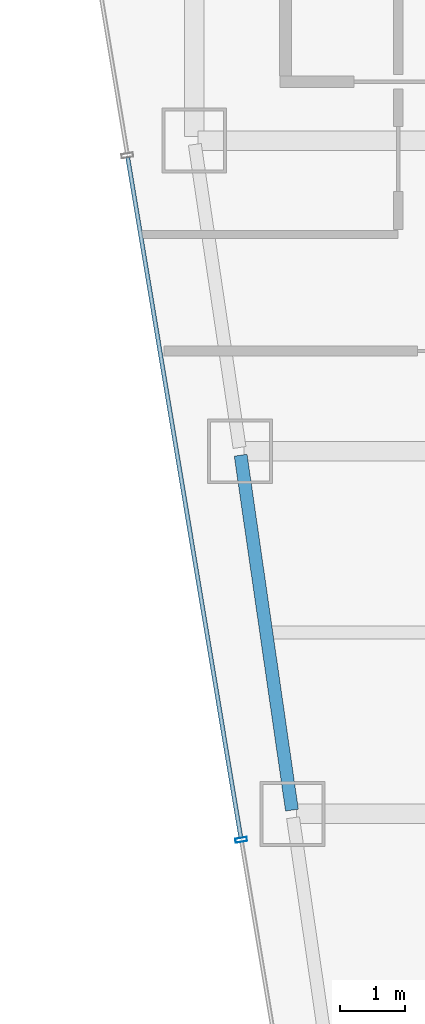
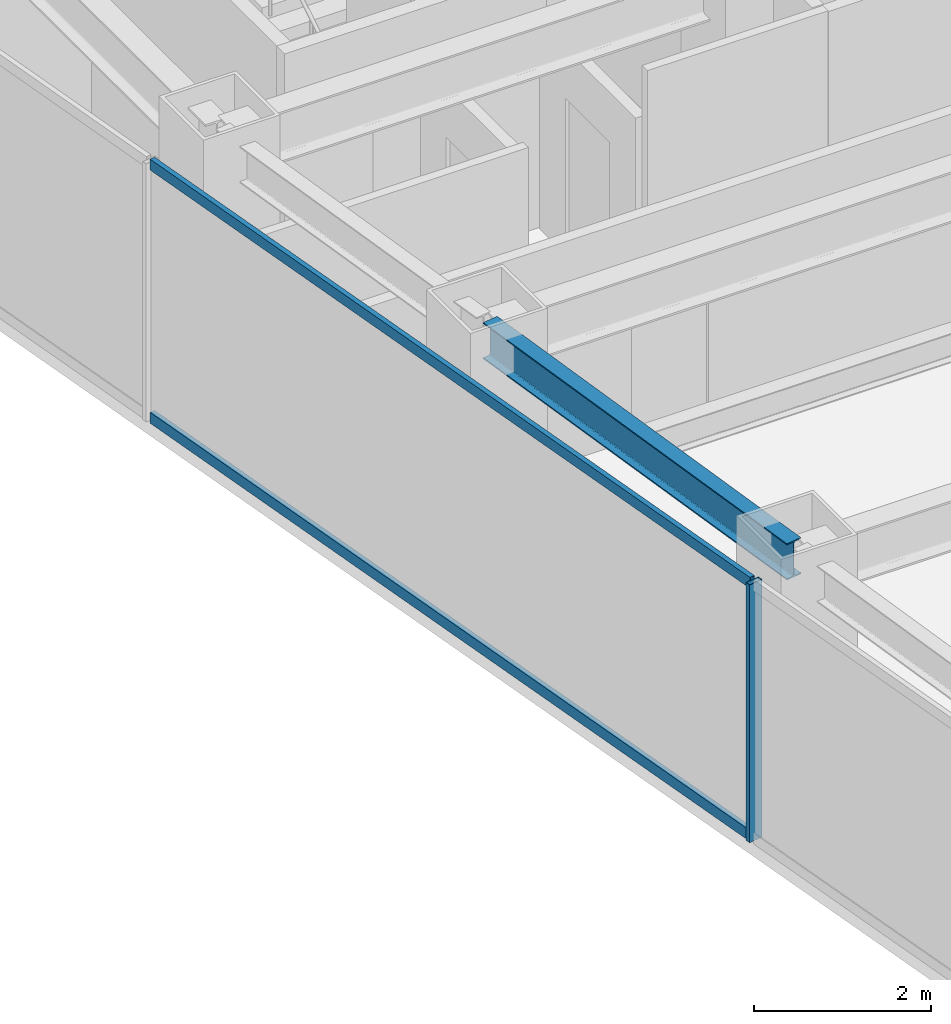
# One storey, part 9 of 37: 3 members, 1 beam, 1 element without a shape of its own.
"""IFC4 building model written with IfcOpenShell, lengths in metres."""

from ifc_helpers import new_model, si_unit, direction, frame, origin, origin_2d, place, context, subcontext, project, spatial, hollow_rectangle, i_section, extrude, material, material_profile, profile_set, type_object, element, aggregate, save


model = new_model("IFC4")

# Units and contexts
model_context = context("Model", 3, precision=1e-05, world=origin(), true_north=direction((0.0, 1.0)))
body_context = subcontext(model_context, "Body", "Model", "MODEL_VIEW")
ifc_project = project(units=[si_unit("LENGTHUNIT", "METRE"), si_unit("AREAUNIT", "SQUARE_METRE"), si_unit("VOLUMEUNIT", "CUBIC_METRE"), si_unit("PLANEANGLEUNIT", "RADIAN"), si_unit("MASSUNIT", "GRAM", prefix="KILO")], contexts=[model_context])

# Site, building, storey
site_placement = place(None, origin())
site = spatial("IfcSite", under=ifc_project, at=site_placement, CompositionType="ELEMENT")
building_placement = place(site_placement, origin())
building = spatial("IfcBuilding", under=site, at=building_placement, Name="Saevonmaru Cultural Tower", CompositionType="ELEMENT")
storey_placement = place(building_placement, frame((0.0, 0.0, 141.0)))
storey = spatial("IfcBuildingStorey", under=building, at=storey_placement, Name="L30", CompositionType="ELEMENT", Elevation=141.0)

# Beam
ifc_material_1 = material(Name="Steel SM355", Category="steel")
ifc_material_profile_1 = material_profile(ifc_material_1, i_section(OverallWidth=0.199951171875, OverallDepth=0.5, WebThickness=0.010009765625, FlangeThickness=0.01611328125, FilletRadius=0.02001953125, at=origin_2d()), Name="H-500x200x10x16")
ifc_profile_set_1 = profile_set([ifc_material_profile_1], Name="Steel SM355")
beam_type = type_object("IfcBeamType", Name="BM-SP-H500", PredefinedType="SPANDREL", material=ifc_profile_set_1)
beam_placement = place(storey_placement, frame((8.308349609375, 32.059326171875, 3.300048828125), z_axis=(-0.142964121327, 0.989727871697, 0.0), x_axis=(-0.989727871697, -0.142964121327, 0.0)))
element("IfcBeam", 1, at=beam_placement, inside=storey, type_object=beam_type, Name="L30 West Splayed Spandrel 4", PredefinedType="SPANDREL", context=body_context, shape_type="SweptSolid", body=[
    extrude(i_section(OverallWidth=0.199951171875, OverallDepth=0.5, WebThickness=0.010009765625, FlangeThickness=0.01611328125, FilletRadius=0.02001953125, at=origin_2d()), origin(), (0.0, 0.0, 1.0), 5.5380859375),
])

# Curtain wall, members
ifc_material_2 = material(Name="Satin Bronze Anodised Aluminium", Category="aluminium")
curtain_wall_type = type_object("IfcCurtainWallType", Name="CW-TYP-A", PredefinedType="NOTDEFINED", material=ifc_material_2)
curtain_wall_placement = place(storey_placement, origin())
curtain_wall = element("IfcCurtainWall", 2, at=curtain_wall_placement, inside=storey, type_object=curtain_wall_type, Name="L30 Unitised Curtain Wall E12", PredefinedType="NOTDEFINED")
ifc_material_profile_2 = material_profile(ifc_material_2, hollow_rectangle(XDim=0.06494140625, YDim=0.179931640625, WallThickness=0.00390625, at=origin_2d()), Name="ALU-MULL-180x65x4")
ifc_profile_set_2 = profile_set([ifc_material_profile_2], Name="Satin Bronze Anodised Aluminium")
member_type_1 = type_object("IfcMemberType", Name="ML-CW-180x65", PredefinedType="MULLION", material=ifc_profile_set_2)
member_1_placement = place(storey_placement, frame((7.5244140625, 31.60009765625, 0.0), z_axis=(0.0, 0.0, 1.0), x_axis=(0.163998702345, -0.986460554523, 0.0)))
member_1 = element("IfcMember", 3, at=member_1_placement, type_object=member_type_1, Name="CW-TW-L30-E12 mullion 3", PredefinedType="MULLION", context=body_context, shape_type="SweptSolid", body=[
    extrude(hollow_rectangle(XDim=0.06494140625, YDim=0.179931640625, WallThickness=0.00390625, at=origin_2d()), origin(), (0.0, 0.0, 1.0), 3.550048828125),
])
ifc_material_profile_3 = material_profile(ifc_material_2, hollow_rectangle(XDim=0.06494140625, YDim=0.14990234375, WallThickness=0.00390625, at=origin_2d()), Name="ALU-TRAN-150x65x4")
ifc_profile_set_3 = profile_set([ifc_material_profile_3], Name="Satin Bronze Anodised Aluminium")
member_type_2 = type_object("IfcMemberType", Name="TR-CW-150x65", PredefinedType="USERDEFINED", material=ifc_profile_set_3)
member_2_placement = place(storey_placement, frame((5.7724609375, 42.138427734375, 0.032470703125), z_axis=(0.163990079074, -0.9864619881, 0.0), x_axis=(0.9864619881, 0.163990079074, 0.0)))
member_2 = element("IfcMember", 4, at=member_2_placement, type_object=member_type_2, Name="CW-TW-L30-E12 transom 2.1", ObjectType="TRANSOM", PredefinedType="USERDEFINED", context=body_context, shape_type="SweptSolid", body=[
    extrude(hollow_rectangle(XDim=0.06494140625, YDim=0.14990234375, WallThickness=0.00390625, at=origin_2d()), origin(), (0.0, 0.0, 1.0), 10.650634765625),
])
member_3_placement = place(storey_placement, frame((5.7724609375, 42.138427734375, 3.517578125), z_axis=(0.163990079074, -0.9864619881, 0.0), x_axis=(0.9864619881, 0.163990079074, 0.0)))
member_3 = element("IfcMember", 5, at=member_3_placement, type_object=member_type_2, Name="CW-TW-L30-E12 transom 2.2", ObjectType="TRANSOM", PredefinedType="USERDEFINED", context=body_context, shape_type="SweptSolid", body=[
    extrude(hollow_rectangle(XDim=0.06494140625, YDim=0.14990234375, WallThickness=0.00390625, at=origin_2d()), origin(), (0.0, 0.0, 1.0), 10.650634765625),
])
aggregate(curtain_wall, [member_1, member_2, member_3])

save(model, "model.ifc")
